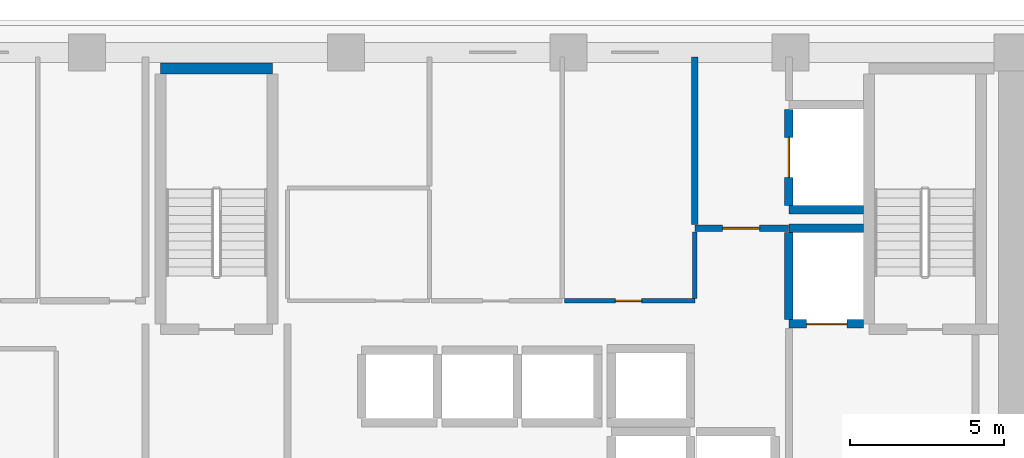
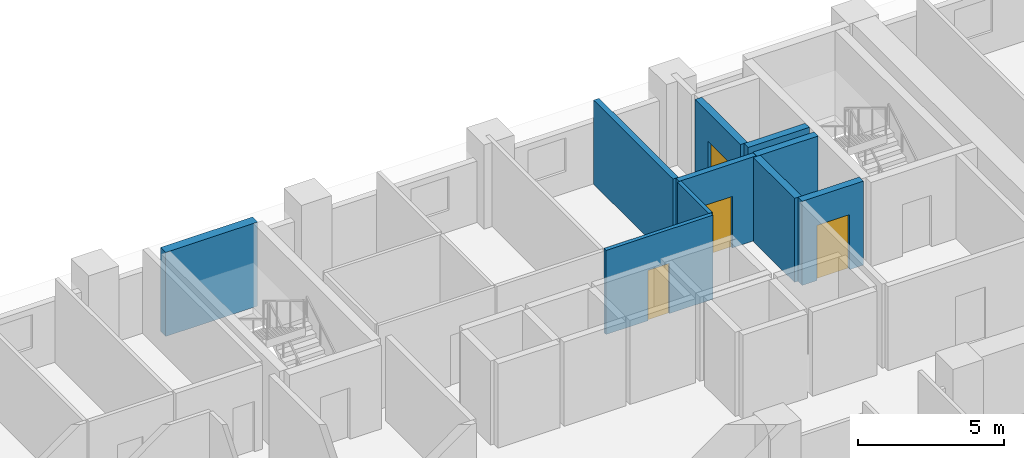
# One storey, part 8 of 15: 10 walls, 4 doors, 4 openings.
"""IFC4 building model written with IfcOpenShell, lengths in metres."""

from ifc_helpers import new_model, si_unit, direction, frame, frame_2d, origin, place, context, subcontext, project, spatial, rectangle, extrude, material, layer, layer_set, type_object, element, fill, save


model = new_model("IFC4")

# Units and contexts
model_context = context("Model", 3, precision=1e-05, world=origin(), true_north=direction((0.0, 1.0)))
body_context = subcontext(model_context, "Body", "Model", "MODEL_VIEW")
ifc_project = project(units=[si_unit("LENGTHUNIT", "METRE"), si_unit("AREAUNIT", "SQUARE_METRE"), si_unit("VOLUMEUNIT", "CUBIC_METRE"), si_unit("PLANEANGLEUNIT", "RADIAN"), si_unit("MASSUNIT", "GRAM", prefix="KILO")], contexts=[model_context])

# Site, building, storey
site_placement = place(None, origin())
site = spatial("IfcSite", under=ifc_project, at=site_placement, CompositionType="ELEMENT")
building_placement = place(site_placement, origin())
building = spatial("IfcBuilding", under=site, at=building_placement, Name="Kaelvorn Grand Hotel", CompositionType="ELEMENT")
storey_placement = place(building_placement, frame((0.0, 0.0, 115.550048828125)))
storey = spatial("IfcBuildingStorey", under=building, at=storey_placement, Name="L27", CompositionType="ELEMENT", Elevation=115.550048828125)

# Wall, opening, door
ifc_material_1 = material(Name="Acoustic Gypsum & Stud Partition")
ifc_layer_1 = layer(ifc_material_1, 0.14990234375)
ifc_layer_set_1 = layer_set([ifc_layer_1], Name="Acoustic Gypsum & Stud Partition")
wall_type_1 = type_object("IfcWallType", Name="WL-PART-150-EI60", PredefinedType="PARTITIONING", material=ifc_layer_set_1)
wall_1_placement = place(storey_placement, frame((53.280029296875, 40.949951171875, 0.0), z_axis=(0.0, 0.0, 1.0), x_axis=(1.0, 0.0, 0.0)))
wall_1 = element("IfcWall", 1, at=wall_1_placement, inside=storey, type_object=wall_type_1, Name="L27 Floor IT & Comms Room S Partition", PredefinedType="PARTITIONING", context=body_context, shape_type="SweptSolid", body=[
    extrude(rectangle(XDim=4.219970703125, YDim=0.14990234375, at=frame_2d((2.10986328125, 0.0))), origin(), (0.0, 0.0, 1.0), 3.510009765625),
])
opening_1_placement = place(wall_1_placement, frame((1.64501953125, 0.0, 0.0)))
opening_1 = element("IfcOpeningElement", 2, at=opening_1_placement, cuts=wall_1, Name="Opening DI7", PredefinedType="OPENING", context=body_context, shape_type="SweptSolid", body=[
    extrude(rectangle(XDim=0.85009765625, YDim=2.10009765625, at=frame_2d((0.425048828125, 1.050048828125))), frame((0.0, 0.0849609375, 0.0), z_axis=(0.0, -1.0, 0.0), x_axis=(1.0, 0.0, 0.0)), (0.0, 0.0, 1.0), 0.169921875),
])
ifc_material_2 = material(Name="Powder-Coated Steel Leaf", Category="steel")
door_type_1 = type_object("IfcDoorType", Name="DR-INT-RISER-850x2100", OperationType="NOTDEFINED", PredefinedType="DOOR", material=ifc_material_2)
door_1_placement = place(opening_1_placement, origin())
door_1 = element("IfcDoor", 3, at=door_1_placement, inside=storey, type_object=door_type_1, Name="L27 Floor IT & Comms Room Door", OperationType="SINGLE_SWING_LEFT", OverallHeight=2.10009765625, OverallWidth=0.85009765625, PredefinedType="DOOR", context=body_context, shape_type="SweptSolid", body=[
    extrude(rectangle(XDim=0.85009765625, YDim=2.10009765625, at=frame_2d((0.425048828125, 1.050048828125))), frame((0.0, 0.02490234375, 0.0), z_axis=(0.0, -1.0, 0.0), x_axis=(1.0, 0.0, 0.0)), (0.0, 0.0, 1.0), 0.050048828125),
])
fill(opening_1, door_1)

# Wall
wall_2_placement = place(storey_placement, frame((57.5, 41.030029296875, 0.0), z_axis=(0.0, 0.0, 1.0), x_axis=(0.0, 1.0, 0.0)))
element("IfcWall", 4, at=wall_2_placement, inside=storey, type_object=wall_type_1, Name="L27 Floor IT & Comms Room E Partition", PredefinedType="PARTITIONING", context=body_context, shape_type="SweptSolid", body=[
    extrude(rectangle(XDim=2.155029296875, YDim=0.14990234375, at=frame_2d((1.07763671875, 0.0))), origin(), (0.0, 0.0, 1.0), 3.510009765625),
])

# Wall, opening, door
ifc_material_3 = material(Name="Concrete C40/50", Category="concrete")
ifc_layer_2 = layer(ifc_material_3, 0.219970703125)
ifc_layer_set_2 = layer_set([ifc_layer_2], Name="Concrete C40/50")
wall_type_2 = type_object("IfcWallType", Name="WL-PART-220-EI120", PredefinedType="PARTITIONING", material=ifc_layer_set_2)
wall_3_placement = place(storey_placement, frame((57.5, 43.300048828125, 0.0), z_axis=(0.0, 0.0, 1.0), x_axis=(1.0, 0.0, 0.0)))
wall_3 = element("IfcWall", 5, at=wall_3_placement, inside=storey, type_object=wall_type_2, Name="L27 Service Lift Lobby S Partition", PredefinedType="PARTITIONING", context=body_context, shape_type="SweptSolid", body=[
    extrude(rectangle(XDim=3.0400390625, YDim=0.219970703125, at=frame_2d((1.52001953125, 0.0))), origin(), (0.0, 0.0, 1.0), 3.510009765625),
])
opening_2_placement = place(wall_3_placement, frame((0.89990234375, 0.0, 0.0)))
opening_2 = element("IfcOpeningElement", 6, at=opening_2_placement, cuts=wall_3, Name="Opening DI2", PredefinedType="OPENING", context=body_context, shape_type="SweptSolid", body=[
    extrude(rectangle(XDim=1.199951171875, YDim=2.14990234375, at=frame_2d((0.60009765625, 1.074951171875))), frame((0.0, 0.1201171875, 0.0), z_axis=(0.0, -1.0, 0.0), x_axis=(1.0, 0.0, 0.0)), (0.0, 0.0, 1.0), 0.239990234375),
])
ifc_material_4 = material(Name="Timber Veneer Fire Leaf", Category="wood")
door_type_2 = type_object("IfcDoorType", Name="DR-INT-FFLOB-1200x2150", OperationType="NOTDEFINED", PredefinedType="DOOR", material=ifc_material_4)
door_2_placement = place(opening_2_placement, origin())
door_2 = element("IfcDoor", 7, at=door_2_placement, inside=storey, type_object=door_type_2, Name="L27 Service Lift Lobby Door", OperationType="SINGLE_SWING_RIGHT", OverallHeight=2.14990234375, OverallWidth=1.199951171875, PredefinedType="DOOR", context=body_context, shape_type="SweptSolid", body=[
    extrude(rectangle(XDim=1.199951171875, YDim=2.14990234375, at=frame_2d((0.60009765625, 1.074951171875))), frame((0.0, 0.02490234375, 0.0), z_axis=(0.0, -1.0, 0.0), x_axis=(1.0, 0.0, 0.0)), (0.0, 0.0, 1.0), 0.050048828125),
])
fill(opening_2, door_2)

# Wall
wall_4_placement = place(storey_placement, frame((57.5, 43.4150390625, 0.0), z_axis=(0.0, 0.0, 1.0), x_axis=(0.0, 1.0, 0.0)))
element("IfcWall", 8, at=wall_4_placement, inside=storey, type_object=wall_type_2, Name="L27 Service Lift Lobby W Partition", PredefinedType="PARTITIONING", context=body_context, shape_type="SweptSolid", body=[
    extrude(rectangle(XDim=5.43505859375, YDim=0.219970703125, at=frame_2d((2.717529296875, 0.0))), origin(), (0.0, 0.0, 1.0), 3.510009765625),
])

# Wall, opening, door
ifc_material_5 = material(Name="Concrete C50/60", Category="concrete")
ifc_layer_3 = layer(ifc_material_5, 0.280029296875)
ifc_layer_set_3 = layer_set([ifc_layer_3], Name="Concrete C50/60")
wall_type_3 = type_object("IfcWallType", Name="WL-SHAFT-280-C50", PredefinedType="SHEAR", material=ifc_layer_set_3)
wall_5_placement = place(storey_placement, frame((60.550048828125, 40.199951171875, 0.0), z_axis=(0.0, 0.0, 1.0), x_axis=(1.0, 0.0, 0.0)))
wall_5 = element("IfcWall", 9, at=wall_5_placement, inside=storey, type_object=wall_type_3, Name="L27 Lift FFL2 Shaft South Wall", PredefinedType="SHEAR", context=body_context, shape_type="SweptSolid", body=[
    extrude(rectangle(XDim=2.4150390625, YDim=0.280029296875, at=frame_2d((1.20751953125, 0.0))), origin(), (0.0, 0.0, 1.0), 3.510009765625),
])
opening_3_placement = place(wall_5_placement, frame((0.574951171875, 0.0, 0.0)))
opening_3 = element("IfcOpeningElement", 10, at=opening_3_placement, cuts=wall_5, Name="Opening LD-FFL2", PredefinedType="OPENING", context=body_context, shape_type="SweptSolid", body=[
    extrude(rectangle(XDim=1.300048828125, YDim=2.300048828125, at=frame_2d((0.64990234375, 1.14990234375))), frame((0.0, 0.14990234375, 0.0), z_axis=(0.0, -1.0, 0.0), x_axis=(1.0, 0.0, 0.0)), (0.0, 0.0, 1.0), 0.300048828125),
])
ifc_material_6 = material(Name="Stainless Steel", Category="steel")
door_type_3 = type_object("IfcDoorType", Name="DR-LIFT-SERV-1300x2300", OperationType="DOUBLE_DOOR_SLIDING", PredefinedType="DOOR", material=ifc_material_6)
door_3_placement = place(opening_3_placement, origin())
door_3 = element("IfcDoor", 11, at=door_3_placement, inside=storey, type_object=door_type_3, Name="L27 Lift FFL2 Sliding Landing Door LD-FFL2", OperationType="DOUBLE_DOOR_SLIDING", OverallHeight=2.300048828125, OverallWidth=1.300048828125, PredefinedType="DOOR", context=body_context, shape_type="SweptSolid", body=[
    extrude(rectangle(XDim=1.300048828125, YDim=2.300048828125, at=frame_2d((0.64990234375, 1.14990234375))), frame((0.0, 0.02490234375, 0.0), z_axis=(0.0, -1.0, 0.0), x_axis=(1.0, 0.0, 0.0)), (0.0, 0.0, 1.0), 0.050048828125),
])
fill(opening_3, door_3)

# Walls
wall_6_placement = place(storey_placement, frame((60.550048828125, 43.300048828125, 0.0), z_axis=(0.0, 0.0, 1.0), x_axis=(1.0, 0.0, 0.0)))
element("IfcWall", 12, at=wall_6_placement, inside=storey, type_object=wall_type_3, Name="L27 Lift FFL2 Shaft North Wall", PredefinedType="SHEAR", context=body_context, shape_type="SweptSolid", body=[
    extrude(rectangle(XDim=2.4150390625, YDim=0.280029296875, at=frame_2d((1.20751953125, 0.0))), origin(), (0.0, 0.0, 1.0), 3.510009765625),
])
wall_7_placement = place(storey_placement, frame((60.550048828125, 40.344970703125, 0.0), z_axis=(0.0, 0.0, 1.0), x_axis=(0.0, 1.0, 0.0)))
element("IfcWall", 13, at=wall_7_placement, inside=storey, type_object=wall_type_3, Name="L27 Lift FFL2 Shaft West Wall", PredefinedType="SHEAR", context=body_context, shape_type="SweptSolid", body=[
    extrude(rectangle(XDim=2.81005859375, YDim=0.280029296875, at=frame_2d((1.405029296875, 0.0))), origin(), (0.0, 0.0, 1.0), 3.510009765625),
])
wall_8_placement = place(storey_placement, frame((60.550048828125, 43.89990234375, 0.0), z_axis=(0.0, 0.0, 1.0), x_axis=(1.0, 0.0, 0.0)))
element("IfcWall", 14, at=wall_8_placement, inside=storey, type_object=wall_type_3, Name="L27 Lift SV1 Shaft South Wall", PredefinedType="SHEAR", context=body_context, shape_type="SweptSolid", body=[
    extrude(rectangle(XDim=2.4150390625, YDim=0.280029296875, at=frame_2d((1.20751953125, 0.0))), origin(), (0.0, 0.0, 1.0), 3.510009765625),
])

# Wall, opening, door
wall_9_placement = place(storey_placement, frame((60.550048828125, 44.044921875, 0.0), z_axis=(0.0, 0.0, 1.0), x_axis=(0.0, 1.0, 0.0)))
wall_9 = element("IfcWall", 15, at=wall_9_placement, inside=storey, type_object=wall_type_3, Name="L27 Lift SV1 Shaft West Wall", PredefinedType="SHEAR", context=body_context, shape_type="SweptSolid", body=[
    extrude(rectangle(XDim=3.110107421875, YDim=0.280029296875, at=frame_2d((1.55517578125, 0.0))), origin(), (0.0, 0.0, 1.0), 3.510009765625),
])
opening_4_placement = place(wall_9_placement, frame((0.905029296875, 0.0, 0.0)))
opening_4 = element("IfcOpeningElement", 16, at=opening_4_placement, cuts=wall_9, Name="Opening LD-SV1", PredefinedType="OPENING", context=body_context, shape_type="SweptSolid", body=[
    extrude(rectangle(XDim=1.300048828125, YDim=2.300048828125, at=frame_2d((0.64990234375, 1.14990234375))), frame((0.0, 0.14990234375, 0.0), z_axis=(0.0, -1.0, 0.0), x_axis=(1.0, 0.0, 0.0)), (0.0, 0.0, 1.0), 0.300048828125),
])
door_4_placement = place(opening_4_placement, origin())
door_4 = element("IfcDoor", 17, at=door_4_placement, inside=storey, type_object=door_type_3, Name="L27 Lift SV1 Sliding Landing Door LD-SV1", OperationType="DOUBLE_DOOR_SLIDING", OverallHeight=2.300048828125, OverallWidth=1.300048828125, PredefinedType="DOOR", context=body_context, shape_type="SweptSolid", body=[
    extrude(rectangle(XDim=1.300048828125, YDim=2.300048828125, at=frame_2d((0.64990234375, 1.14990234375))), frame((0.0, 0.02490234375, 0.0), z_axis=(0.0, -1.0, 0.0), x_axis=(1.0, 0.0, 0.0)), (0.0, 0.0, 1.0), 0.050048828125),
])
fill(opening_4, door_4)

# Wall
ifc_material_7 = material(Name="Concrete C60/75", Category="concrete")
ifc_layer_4 = layer(ifc_material_7, 0.35009765625)
ifc_layer_set_4 = layer_set([ifc_layer_4], Name="Concrete C60/75")
wall_type_4 = type_object("IfcWallType", Name="WL-SHAFT-350-C60", PredefinedType="SHEAR", material=ifc_layer_set_4)
wall_10_placement = place(storey_placement, frame((40.18505859375, 48.47509765625, 0.0), z_axis=(0.0, 0.0, 1.0), x_axis=(1.0, 0.0, 0.0)))
element("IfcWall", 18, at=wall_10_placement, inside=storey, type_object=wall_type_4, Name="L27 ST2 Stair Shaft North Wall", PredefinedType="SHEAR", context=body_context, shape_type="SweptSolid", body=[
    extrude(rectangle(XDim=3.6298828125, YDim=0.35009765625, at=frame_2d((1.81494140625, 0.0))), origin(), (0.0, 0.0, 1.0), 3.510009765625),
])

save(model, "model.ifc")
